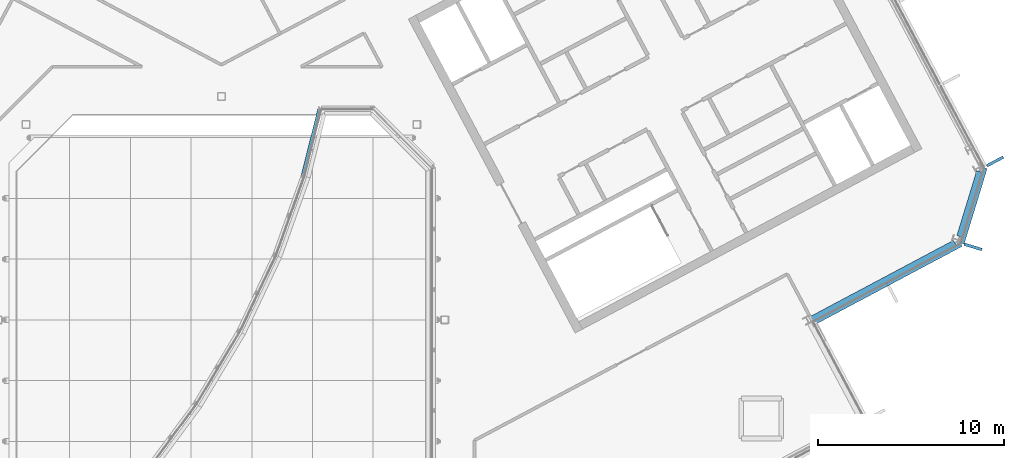
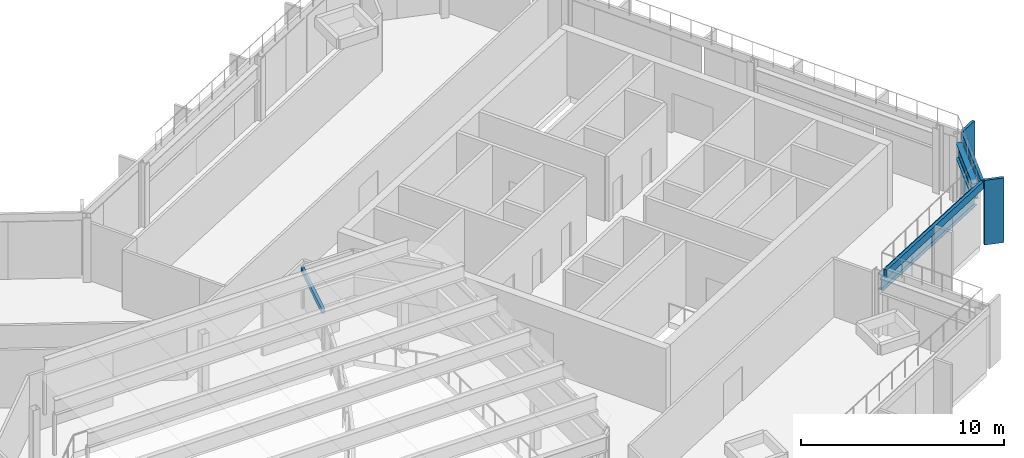
# One storey, part 17 of 35: 5 members, 2 beams, 4 elements without a shape of their own.
"""IFC4 building model written with IfcOpenShell, lengths in metres."""

from ifc_helpers import new_model, si_unit, direction, frame, origin, origin_2d, place, context, subcontext, project, spatial, rectangle, i_section, extrude, material, layer, layer_set, material_profile, profile_set, type_object, element, aggregate, save


model = new_model("IFC4")

# Units and contexts
model_context = context("Model", 3, precision=1e-05, world=origin(), true_north=direction((0.0, 1.0)))
body_context = subcontext(model_context, "Body", "Model", "MODEL_VIEW")
ifc_project = project(units=[si_unit("LENGTHUNIT", "METRE"), si_unit("AREAUNIT", "SQUARE_METRE"), si_unit("VOLUMEUNIT", "CUBIC_METRE"), si_unit("PLANEANGLEUNIT", "RADIAN"), si_unit("MASSUNIT", "GRAM", prefix="KILO")], contexts=[model_context])

# Site, building, storey
site_placement = place(None, origin())
site = spatial("IfcSite", under=ifc_project, at=site_placement, CompositionType="ELEMENT")
building_placement = place(site_placement, origin())
building = spatial("IfcBuilding", under=site, at=building_placement, Name="Cormorant Relay Tower", CompositionType="ELEMENT")
storey_placement = place(building_placement, frame((0.0, 0.0, 324.300048828125)))
storey = spatial("IfcBuildingStorey", under=building, at=storey_placement, Name="L74", CompositionType="ELEMENT", Elevation=324.300048828125)

# Curtain wall, member
ifc_material_1 = material(Name="Aluminium 6063-T6 anodised bronze", Category="aluminium")
ifc_layer_1 = layer(ifc_material_1, 0.199951171875)
ifc_layer_set_1 = layer_set([ifc_layer_1], Name="CW1 unitised bronze curtain wall with vertical fins")
curtain_wall_type_1 = type_object("IfcCurtainWallType", Name="CW1 unitised bronze curtain wall with vertical fins", PredefinedType="NOTDEFINED", material=ifc_layer_set_1)
curtain_wall_1_placement = place(storey_placement, origin())
curtain_wall_1 = element("IfcCurtainWall", 1, at=curtain_wall_1_placement, inside=storey, type_object=curtain_wall_type_1, Name="CW1 curtain wall 5", PredefinedType="NOTDEFINED")
ifc_material_2 = material(Name="Aluminium 6063-T6 anodised bronze", Category="aluminium")
ifc_material_profile_1 = material_profile(ifc_material_2, rectangle(XDim=0.14990234375, YDim=1.0, at=origin_2d()), Name="AL 150x1000")
ifc_profile_set_1 = profile_set([ifc_material_profile_1], Name="Aluminium 6063-T6 anodised bronze")
member_type_1 = type_object("IfcMemberType", Name="CW1 bronze fin mullion 150 x 1000", PredefinedType="MULLION", material=ifc_profile_set_1)
member_1_placement = place(storey_placement, frame((40.380615234375, 3.921630859375, 0.0), z_axis=(0.0, 0.0, 1.0), x_axis=(0.292371704723, 0.956304755963, 0.0)))
member_1 = element("IfcMember", 2, at=member_1_placement, type_object=member_type_1, Name="CW1 fin 5.1", PredefinedType="MULLION", context=body_context, shape_type="SweptSolid", body=[
    extrude(rectangle(XDim=0.14990234375, YDim=1.0, at=origin_2d()), origin(), (0.0, 0.0, 1.0), 3.89990234375),
])

curtain_wall_2_placement = place(storey_placement, origin())
curtain_wall_2 = element("IfcCurtainWall", 3, at=curtain_wall_2_placement, inside=storey, type_object=curtain_wall_type_1, Name="CW1 curtain wall 6", PredefinedType="NOTDEFINED")
member_2_placement = place(storey_placement, frame((41.569580078125, 8.51220703125, 0.0), z_axis=(0.0, 0.0, 1.0), x_axis=(-0.469471562786, 0.882947592859, 0.0)))
member_2 = element("IfcMember", 4, at=member_2_placement, type_object=member_type_1, Name="CW1 fin 6.1", PredefinedType="MULLION", context=body_context, shape_type="SweptSolid", body=[
    extrude(rectangle(XDim=0.14990234375, YDim=1.0, at=origin_2d()), origin(), (0.0, 0.0, 1.0), 3.89990234375),
])
aggregate(curtain_wall_2, [member_2])

curtain_wall_3_placement = place(storey_placement, origin())
curtain_wall_3 = element("IfcCurtainWall", 5, at=curtain_wall_3_placement, inside=storey, type_object=curtain_wall_type_1, Name="CW1 curtain wall 4", PredefinedType="NOTDEFINED")
ifc_material_3 = material(Name="Aluminium 6063-T6 anodised bronze", Category="aluminium")
ifc_material_profile_2 = material_profile(ifc_material_3, rectangle(XDim=0.159912109375, YDim=0.449951171875, at=origin_2d()), Name="AL 160x450")
ifc_profile_set_2 = profile_set([ifc_material_profile_2], Name="Aluminium 6063-T6 anodised bronze")
member_type_2 = type_object("IfcMemberType", Name="CW1 bronze transom 160 x 450", PredefinedType="USERDEFINED", material=ifc_profile_set_2)
member_3_placement = place(storey_placement, frame((31.82080078125, -0.205078125, 3.675048828125), z_axis=(0.882949189538, 0.469468559857, 0.0), x_axis=(-0.469468559857, 0.882949189538, 0.0)))
member_3 = element("IfcMember", 6, at=member_3_placement, type_object=member_type_2, Name="CW1 transom 4", ObjectType="TRANSOM", PredefinedType="USERDEFINED", context=body_context, shape_type="SweptSolid", body=[
    extrude(rectangle(XDim=0.159912109375, YDim=0.449951171875, at=origin_2d()), origin(), (0.0, 0.0, 1.0), 9.000244140625),
])
aggregate(curtain_wall_3, [member_3])

# Member
member_4_placement = place(storey_placement, frame((39.825927734375, 4.091064453125, 3.675048828125), z_axis=(0.292374957137, 0.956303761594, 0.0), x_axis=(-0.956303761594, 0.292374957137, 0.0)))
member_4 = element("IfcMember", 7, at=member_4_placement, type_object=member_type_2, Name="CW1 transom 5", ObjectType="TRANSOM", PredefinedType="USERDEFINED", context=body_context, shape_type="SweptSolid", body=[
    extrude(rectangle(XDim=0.159912109375, YDim=0.449951171875, at=origin_2d()), origin(), (0.0, 0.0, 1.0), 4.24267578125),
])

aggregate(curtain_wall_1, [member_1, member_4])

# Curtain wall, member
ifc_material_4 = material(Name="Aluminium 6063-T6 anodised bronze", Category="aluminium")
ifc_layer_2 = layer(ifc_material_4, 0.199951171875)
ifc_layer_set_2 = layer_set([ifc_layer_2], Name="CW5 atrium lantern curtain wall")
curtain_wall_type_2 = type_object("IfcCurtainWallType", Name="CW5 atrium lantern curtain wall", PredefinedType="NOTDEFINED", material=ifc_layer_set_2)
curtain_wall_4_placement = place(storey_placement, origin())
curtain_wall_4 = element("IfcCurtainWall", 8, at=curtain_wall_4_placement, inside=storey, type_object=curtain_wall_type_2, Name="CW5 atrium lantern wall 1", PredefinedType="NOTDEFINED")
ifc_material_5 = material(Name="Aluminium 6063-T6 anodised bronze", Category="aluminium")
ifc_material_profile_3 = material_profile(ifc_material_5, rectangle(XDim=0.159912109375, YDim=0.300048828125, at=origin_2d()), Name="AL 160x300")
ifc_profile_set_3 = profile_set([ifc_material_profile_3], Name="Aluminium 6063-T6 anodised bronze")
member_type_3 = type_object("IfcMemberType", Name="CW5 bronze transom 160 x 300", PredefinedType="USERDEFINED", material=ifc_profile_set_3)
member_5_placement = place(storey_placement, frame((5.259765625, 11.3291015625, 6.199951171875), z_axis=(-0.242970823293, -0.970033596855, 0.0), x_axis=(0.970033596855, -0.242970823293, 0.0)))
member_5 = element("IfcMember", 9, at=member_5_placement, type_object=member_type_3, Name="CW5 transom 1", ObjectType="TRANSOM", PredefinedType="USERDEFINED", context=body_context, shape_type="SweptSolid", body=[
    extrude(rectangle(XDim=0.159912109375, YDim=0.300048828125, at=origin_2d()), origin(), (0.0, 0.0, 1.0), 3.69580078125),
])
aggregate(curtain_wall_4, [member_5])

# Beams
ifc_material_6 = material(Name="Steel ASTM A992 (Fy 345 MPa)", Category="steel")
ifc_material_profile_4 = material_profile(ifc_material_6, i_section(OverallWidth=0.307373046875, OverallDepth=0.927001953125, WebThickness=0.019287109375, FlangeThickness=0.031982421875, FilletRadius=0.01904296875, at=origin_2d()), Name="W920x289")
ifc_profile_set_4 = profile_set([ifc_material_profile_4], Name="Steel ASTM A992 (Fy 345 MPa)")
beam_type = type_object("IfcBeamType", Name="Spandrel W920x289", PredefinedType="SPANDREL", material=ifc_profile_set_4)
beam_1_placement = place(storey_placement, frame((31.6923828125, 0.03662109375, 3.0361328125), z_axis=(0.882943393008, 0.469479461472, 0.0), x_axis=(-0.469479461472, 0.882943393008, 0.0)))
element("IfcBeam", 10, at=beam_1_placement, inside=storey, type_object=beam_type, Name="Spandrel beam L74-004", PredefinedType="SPANDREL", context=body_context, shape_type="SweptSolid", body=[
    extrude(i_section(OverallWidth=0.307373046875, OverallDepth=0.927001953125, WebThickness=0.019287109375, FlangeThickness=0.031982421875, FilletRadius=0.01904296875, at=origin_2d()), origin(), (0.0, 0.0, 1.0), 8.734375),
])
beam_2_placement = place(storey_placement, frame((39.6591796875, 4.4814453125, 3.0361328125), z_axis=(0.292323829151, 0.956319391684, 0.0), x_axis=(-0.956319391684, 0.292323829151, 0.0)))
element("IfcBeam", 11, at=beam_2_placement, inside=storey, type_object=beam_type, Name="Spandrel beam L74-005", PredefinedType="SPANDREL", context=body_context, shape_type="SweptSolid", body=[
    extrude(i_section(OverallWidth=0.307373046875, OverallDepth=0.927001953125, WebThickness=0.019287109375, FlangeThickness=0.031982421875, FilletRadius=0.01904296875, at=origin_2d()), origin(), (0.0, 0.0, 1.0), 3.652099609375),
])

save(model, "model.ifc")
